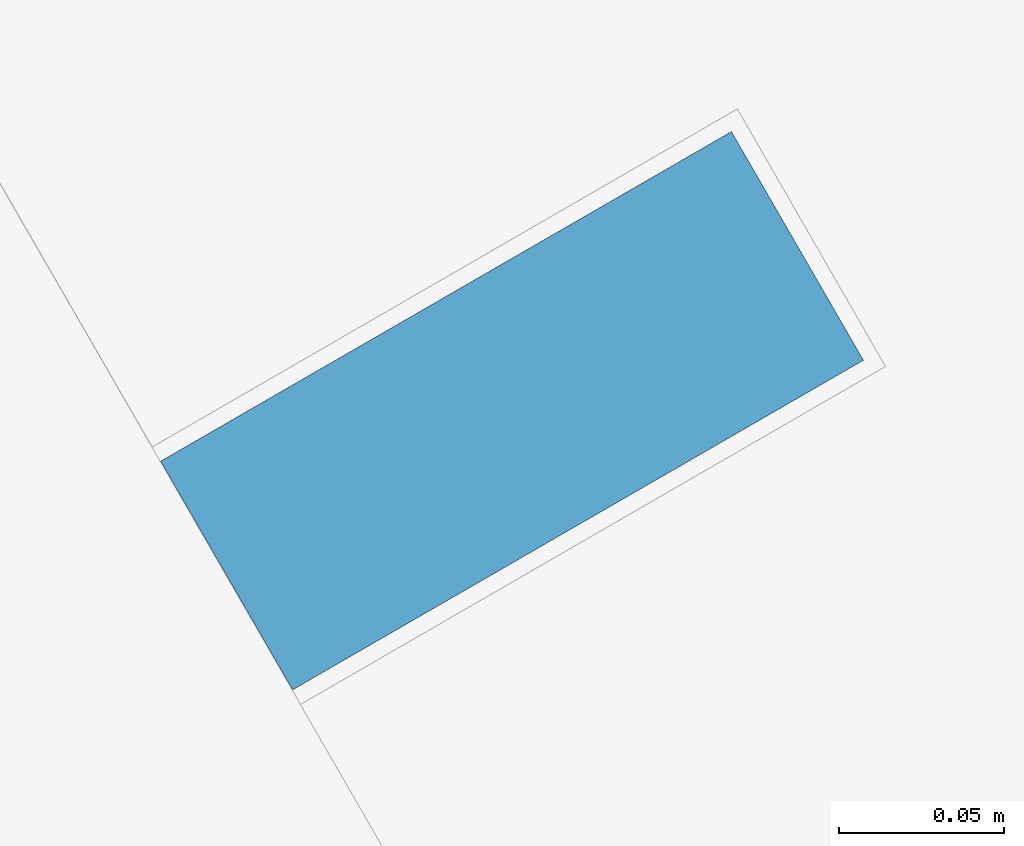
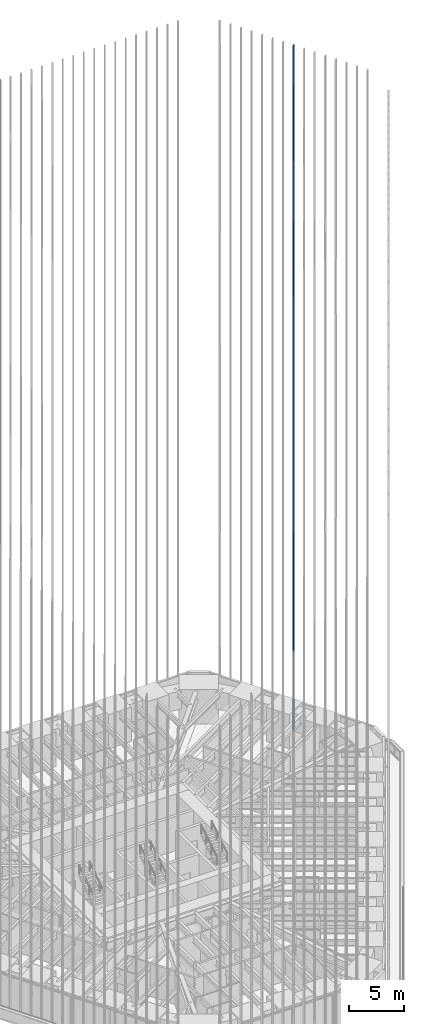
# One storey, part 186 of 238: 1 member, 1 element without a shape of its own.
"""IFC4 building model written with IfcOpenShell, lengths in metres."""

from ifc_helpers import new_model, si_unit, direction, frame, origin, origin_2d, place, context, subcontext, project, spatial, rectangle, extrude, material, material_profile, profile_set, type_object, element, aggregate, save


model = new_model("IFC4")

# Units and contexts
model_context = context("Model", 3, precision=1e-05, world=origin(), true_north=direction((0.0, 1.0)))
body_context = subcontext(model_context, "Body", "Model", "MODEL_VIEW")
ifc_project = project(units=[si_unit("LENGTHUNIT", "METRE"), si_unit("AREAUNIT", "SQUARE_METRE"), si_unit("VOLUMEUNIT", "CUBIC_METRE"), si_unit("PLANEANGLEUNIT", "RADIAN"), si_unit("MASSUNIT", "GRAM", prefix="KILO")], contexts=[model_context])

# Site, building, storey
site_placement = place(None, origin())
site = spatial("IfcSite", under=ifc_project, at=site_placement, CompositionType="ELEMENT")
building_placement = place(site_placement, origin())
building = spatial("IfcBuilding", under=site, at=building_placement, Name="Sandreach Pilgrim Tower", CompositionType="ELEMENT")
storey_placement = place(building_placement, frame((0.0, 0.0, 96.800048828125)))
storey = spatial("IfcBuildingStorey", under=building, at=storey_placement, Name="L23", CompositionType="ELEMENT", Elevation=96.800048828125)

# Curtain wall, member
ifc_material_1 = material(Name="Aluminium framed curtain wall", Category="aluminium")
curtain_wall_type = type_object("IfcCurtainWallType", Name="Hotel tower curtain wall", PredefinedType="NOTDEFINED", material=ifc_material_1)
curtain_wall_placement = place(storey_placement, origin())
curtain_wall = element("IfcCurtainWall", 1, at=curtain_wall_placement, inside=storey, type_object=curtain_wall_type, Name="CW-2 L23 NE", PredefinedType="NOTDEFINED")
ifc_material_2 = material(Name="Extruded terracotta on aluminium core", Category="masonry")
ifc_material_profile = material_profile(ifc_material_2, rectangle(XDim=0.080078125, YDim=0.199951171875, at=origin_2d()), Name="TBE 80X200")
ifc_profile_set = profile_set([ifc_material_profile], Name="Extruded terracotta on aluminium core")
member_type = type_object("IfcMemberType", Name="Terracotta baguette east", PredefinedType="USERDEFINED", material=ifc_profile_set)
member_placement = place(storey_placement, frame((24.76171875, 14.296142578125, 0.0), z_axis=(0.0, 0.0, 1.0), x_axis=(0.5, -0.866025403784, 0.0)))
member = element("IfcMember", 2, at=member_placement, type_object=member_type, Name="Baguette Z2 NE08", ObjectType="BAGUETTE", PredefinedType="USERDEFINED", context=body_context, shape_type="SweptSolid", body=[
    extrude(rectangle(XDim=0.080078125, YDim=0.199951171875, at=origin_2d()), origin(), (0.0, 0.0, 1.0), 75.83984375),
])
aggregate(curtain_wall, [member])

save(model, "model.ifc")
